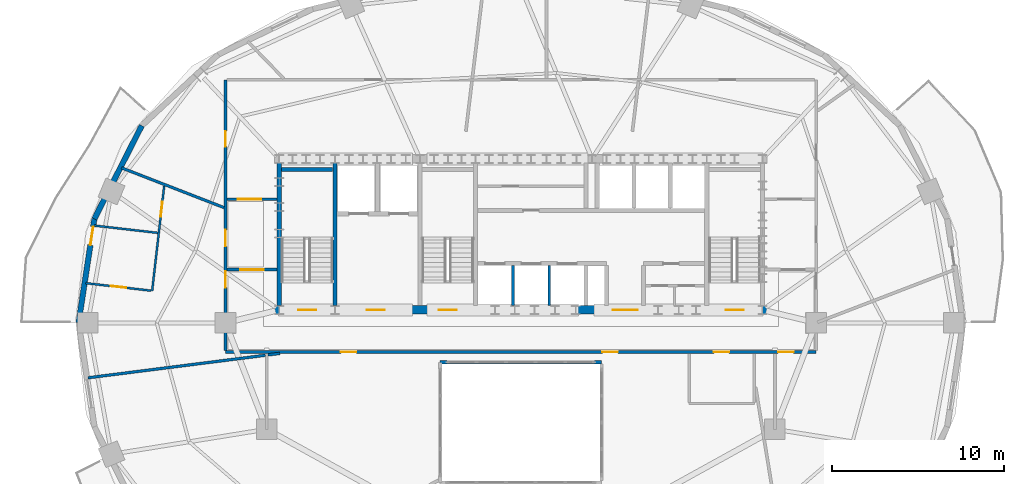
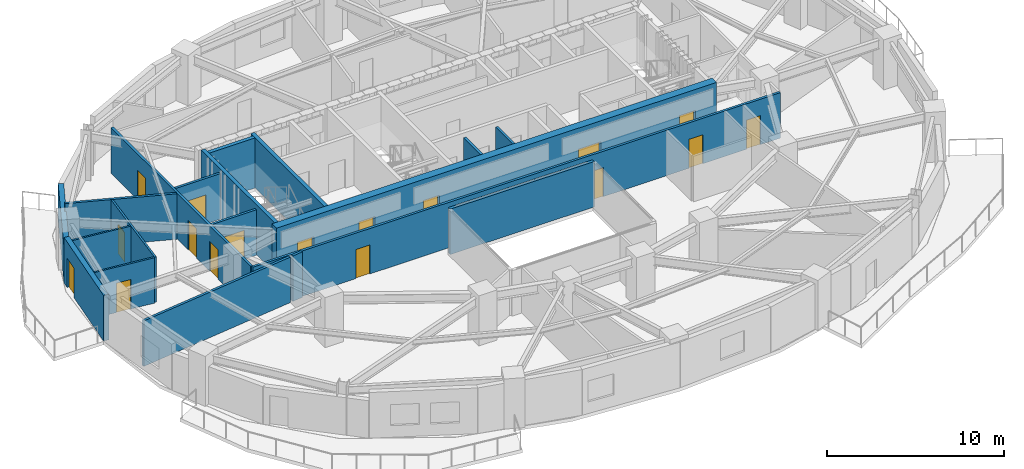
# One storey, part 6 of 12: 19 walls, 17 doors, 17 openings.
"""IFC4 building model written with IfcOpenShell, lengths in metres."""

from ifc_helpers import new_model, si_unit, direction, frame, frame_2d, origin, place, context, subcontext, project, spatial, rectangle, extrude, material, layer, layer_set, type_object, element, fill, save


model = new_model("IFC4")

# Units and contexts
model_context = context("Model", 3, precision=1e-05, world=origin(), true_north=direction((0.0, 1.0)))
body_context = subcontext(model_context, "Body", "Model", "MODEL_VIEW")
ifc_project = project(units=[si_unit("LENGTHUNIT", "METRE"), si_unit("AREAUNIT", "SQUARE_METRE"), si_unit("VOLUMEUNIT", "CUBIC_METRE"), si_unit("PLANEANGLEUNIT", "RADIAN"), si_unit("MASSUNIT", "GRAM", prefix="KILO")], contexts=[model_context])

# Site, building, storey
site_placement = place(None, origin())
site = spatial("IfcSite", under=ifc_project, at=site_placement, CompositionType="ELEMENT")
building_placement = place(site_placement, origin())
building = spatial("IfcBuilding", under=site, at=building_placement, Name="Haldorwick Loom Tower", CompositionType="ELEMENT")
storey_placement = place(building_placement, frame((0.0, 0.0, 146.0)))
storey = spatial("IfcBuildingStorey", under=building, at=storey_placement, Name="L39", CompositionType="ELEMENT", Elevation=146.0)

# Wall
ifc_material_1 = material(Name="Pressed Clay Face Brick and Insulated Masonry Backup Assembly", Category="masonry")
ifc_layer_1 = layer(ifc_material_1, 0.320068359375, Name="Pressed Clay Face Brick and Insulated Masonry Backup Assembly", Category="masonry")
ifc_layer_set_1 = layer_set([ifc_layer_1], Name="Pressed Clay Face Brick and Insulated Masonry Backup Assembly")
wall_type_1 = type_object("IfcWallType", Name="ARC-WL-EXT320", PredefinedType="STANDARD", material=ifc_layer_set_1)
wall_1_placement = place(storey_placement, frame((13.92333984375, 37.481201171875, 0.0), z_axis=(0.0, 0.0, 1.0), x_axis=(-0.453172129629, -0.89142303141, 0.0)))
element("IfcWall", 1, at=wall_1_placement, inside=storey, type_object=wall_type_1, Name="L39 Brick Pier and Spandrel Wall 11", PredefinedType="STANDARD", context=body_context, shape_type="SweptSolid", body=[
    extrude(rectangle(XDim=6.086669921875, YDim=0.320068359375, at=frame_2d((3.04345703125, 0.0))), origin(), (0.0, 0.0, 1.0), 2.5810546875),
])

# Wall, opening, door
wall_2_placement = place(storey_placement, frame((11.1650390625, 32.055419921875, 0.0), z_axis=(0.0, 0.0, 1.0), x_axis=(-0.150544467684, -0.988603238539, 0.0)))
wall_2 = element("IfcWall", 2, at=wall_2_placement, inside=storey, type_object=wall_type_1, Name="L39 Brick Pier and Spandrel Wall 12", PredefinedType="STANDARD", context=body_context, shape_type="SweptSolid", body=[
    extrude(rectangle(XDim=6.125244140625, YDim=0.320068359375, at=frame_2d((3.0625, 0.0))), origin(), (0.0, 0.0, 1.0), 3.14990234375),
])
opening_1_placement = place(wall_2_placement, frame((0.459716796875, 0.0, 0.0)))
opening_1 = element("IfcOpeningElement", 3, at=opening_1_placement, cuts=wall_2, Name="Opening D-BL11", PredefinedType="OPENING", context=body_context, shape_type="SweptSolid", body=[
    extrude(rectangle(XDim=1.080078125, YDim=2.0400390625, at=frame_2d((0.5400390625, 1.02001953125))), frame((0.0, 0.169921875, 0.0), z_axis=(0.0, -1.0, 0.0), x_axis=(1.0, 0.0, 0.0)), (0.0, 0.0, 1.0), 0.340087890625),
])
ifc_material_2 = material(Name="Thermally Broken Anodized Aluminium Curtain Wall Framing", Category="aluminium")
door_type_1 = type_object("IfcDoorType", Name="ARC-DR-BAL110", OperationType="NOTDEFINED", PredefinedType="DOOR", material=ifc_material_2)
door_1_placement = place(opening_1_placement, origin())
door_1 = element("IfcDoor", 4, at=door_1_placement, inside=storey, type_object=door_type_1, Name="L39 Outdoor Terrace Door SLB-L39-BAL_WNW", OperationType="SINGLE_SWING_RIGHT", OverallHeight=2.0400390625, OverallWidth=1.080078125, PredefinedType="DOOR", context=body_context, shape_type="SweptSolid", body=[
    extrude(rectangle(XDim=1.080078125, YDim=2.0400390625, at=frame_2d((0.5400390625, 1.02001953125))), frame((0.0, 0.02490234375, 0.0), z_axis=(0.0, -1.0, 0.0), x_axis=(1.0, 0.0, 0.0)), (0.0, 0.0, 1.0), 0.050048828125),
])
fill(opening_1, door_1)

# Wall, openings, doors
ifc_material_3 = material(Name="Fire-Rated Type X Gypsum Stud Assembly EI 60")
ifc_layer_2 = layer(ifc_material_3, 0.159912109375, Name="Fire-Rated Type X Gypsum Stud Assembly EI 60")
ifc_layer_set_2 = layer_set([ifc_layer_2], Name="Fire-Rated Type X Gypsum Stud Assembly EI 60")
wall_type_2 = type_object("IfcWallType", Name="ARC-WL-FIRE160", PredefinedType="PARTITIONING", material=ifc_layer_set_2)
wall_3_placement = place(storey_placement, frame((18.800048828125, 24.300048828125, 0.0), z_axis=(0.0, 0.0, 1.0), x_axis=(1.0, 0.0, 0.0)))
wall_3 = element("IfcWall", 5, at=wall_3_placement, inside=storey, type_object=wall_type_2, Name="L39 Residential Fire Partition L39-CR-SP", PredefinedType="PARTITIONING", context=body_context, shape_type="SweptSolid", body=[
    extrude(rectangle(XDim=34.39990234375, YDim=0.159912109375, at=frame_2d((17.199951171875, 0.0))), origin(), (0.0, 0.0, 1.0), 3.135009765625),
])
opening_2_placement = place(wall_3_placement, frame((21.951416015625, 0.0, 0.0)))
opening_2 = element("IfcOpeningElement", 6, at=opening_2_placement, cuts=wall_3, Name="Opening D-FD60A", PredefinedType="OPENING", context=body_context, shape_type="SweptSolid", body=[
    extrude(rectangle(XDim=0.89990234375, YDim=2.0, at=frame_2d((0.449951171875, 1.0))), frame((0.0, 0.08984375, 0.0), z_axis=(0.0, -1.0, 0.0), x_axis=(1.0, 0.0, 0.0)), (0.0, 0.0, 1.0), 0.179931640625),
])
opening_3_placement = place(wall_3_placement, frame((6.716796875, 0.0, 0.0)))
opening_3 = element("IfcOpeningElement", 7, at=opening_3_placement, cuts=wall_3, Name="Opening D-FD60A", PredefinedType="OPENING", context=body_context, shape_type="SweptSolid", body=[
    extrude(rectangle(XDim=0.89990234375, YDim=2.0, at=frame_2d((0.449951171875, 1.0))), frame((0.0, 0.08984375, 0.0), z_axis=(0.0, -1.0, 0.0), x_axis=(1.0, 0.0, 0.0)), (0.0, 0.0, 1.0), 0.179931640625),
])
opening_4_placement = place(wall_3_placement, frame((28.437255859375, 0.0, 0.0)))
opening_4 = element("IfcOpeningElement", 8, at=opening_4_placement, cuts=wall_3, Name="Opening D-FD60A", PredefinedType="OPENING", context=body_context, shape_type="SweptSolid", body=[
    extrude(rectangle(XDim=0.89990234375, YDim=2.0, at=frame_2d((0.449951171875, 1.0))), frame((0.0, 0.08984375, 0.0), z_axis=(0.0, -1.0, 0.0), x_axis=(1.0, 0.0, 0.0)), (0.0, 0.0, 1.0), 0.179931640625),
])
opening_5_placement = place(wall_3_placement, frame((32.185791015625, 0.0, 0.0)))
opening_5 = element("IfcOpeningElement", 9, at=opening_5_placement, cuts=wall_3, Name="Opening D-FD60A", PredefinedType="OPENING", context=body_context, shape_type="SweptSolid", body=[
    extrude(rectangle(XDim=0.89990234375, YDim=2.0, at=frame_2d((0.449951171875, 1.0))), frame((0.0, 0.08984375, 0.0), z_axis=(0.0, -1.0, 0.0), x_axis=(1.0, 0.0, 0.0)), (0.0, 0.0, 1.0), 0.179931640625),
])
ifc_material_4 = material(Name="Hollow Steel Fire Door Assembly", Category="steel")
door_type_2 = type_object("IfcDoorType", Name="ARC-DR-FD60-90", OperationType="NOTDEFINED", PredefinedType="DOOR", material=ifc_material_4)
door_2_placement = place(opening_2_placement, origin())
door_2 = element("IfcDoor", 10, at=door_2_placement, inside=storey, type_object=door_type_2, Name="L39 L39 Central Residential Corridor to Community Teaching Classroom 5 D", OperationType="SINGLE_SWING_RIGHT", OverallHeight=2.0, OverallWidth=0.89990234375, PredefinedType="DOOR", context=body_context, shape_type="SweptSolid", body=[
    extrude(rectangle(XDim=0.89990234375, YDim=2.0, at=frame_2d((0.449951171875, 1.0))), frame((0.0, 0.02490234375, 0.0), z_axis=(0.0, -1.0, 0.0), x_axis=(1.0, 0.0, 0.0)), (0.0, 0.0, 1.0), 0.050048828125),
])
fill(opening_2, door_2)
door_3_placement = place(opening_3_placement, origin())
door_3 = element("IfcDoor", 11, at=door_3_placement, inside=storey, type_object=door_type_2, Name="L39 L39 Central Residential Corridor to Community Teaching Classroom 10 ", OperationType="SINGLE_SWING_LEFT", OverallHeight=2.0, OverallWidth=0.89990234375, PredefinedType="DOOR", context=body_context, shape_type="SweptSolid", body=[
    extrude(rectangle(XDim=0.89990234375, YDim=2.0, at=frame_2d((0.449951171875, 1.0))), frame((0.0, 0.02490234375, 0.0), z_axis=(0.0, -1.0, 0.0), x_axis=(1.0, 0.0, 0.0)), (0.0, 0.0, 1.0), 0.050048828125),
])
fill(opening_3, door_3)
door_4_placement = place(opening_4_placement, origin())
door_4 = element("IfcDoor", 12, at=door_4_placement, inside=storey, type_object=door_type_2, Name="L39 L39 Central Residential Corridor to Common Accessible WC Door", OperationType="SINGLE_SWING_RIGHT", OverallHeight=2.0, OverallWidth=0.89990234375, PredefinedType="DOOR", context=body_context, shape_type="SweptSolid", body=[
    extrude(rectangle(XDim=0.89990234375, YDim=2.0, at=frame_2d((0.449951171875, 1.0))), frame((0.0, 0.02490234375, 0.0), z_axis=(0.0, -1.0, 0.0), x_axis=(1.0, 0.0, 0.0)), (0.0, 0.0, 1.0), 0.050048828125),
])
fill(opening_4, door_4)
door_5_placement = place(opening_5_placement, origin())
door_5 = element("IfcDoor", 13, at=door_5_placement, inside=storey, type_object=door_type_2, Name="L39 L39 Central Residential Corridor to Community Teaching Classroom 1 D", OperationType="SINGLE_SWING_LEFT", OverallHeight=2.0, OverallWidth=0.89990234375, PredefinedType="DOOR", context=body_context, shape_type="SweptSolid", body=[
    extrude(rectangle(XDim=0.89990234375, YDim=2.0, at=frame_2d((0.449951171875, 1.0))), frame((0.0, 0.02490234375, 0.0), z_axis=(0.0, -1.0, 0.0), x_axis=(1.0, 0.0, 0.0)), (0.0, 0.0, 1.0), 0.050048828125),
])
fill(opening_5, door_5)

wall_4_placement = place(storey_placement, frame((18.800048828125, 24.383056640625, 0.0), z_axis=(0.0, 0.0, 1.0), x_axis=(0.0, 1.0, 0.0)))
wall_4 = element("IfcWall", 14, at=wall_4_placement, inside=storey, type_object=wall_type_2, Name="L39 Residential Fire Partition L39-CR-W0", PredefinedType="PARTITIONING", context=body_context, shape_type="SweptSolid", body=[
    extrude(rectangle(XDim=15.766845703125, YDim=0.159912109375, at=frame_2d((7.88330078125, 0.0))), origin(), (0.0, 0.0, 1.0), 3.135009765625),
])
opening_6_placement = place(wall_4_placement, frame((11.875, 0.0, 0.0)))
opening_6 = element("IfcOpeningElement", 15, at=opening_6_placement, cuts=wall_4, Name="Opening D-FD60A", PredefinedType="OPENING", context=body_context, shape_type="SweptSolid", body=[
    extrude(rectangle(XDim=0.89990234375, YDim=2.0, at=frame_2d((0.449951171875, 1.0))), frame((0.0, 0.08984375, 0.0), z_axis=(0.0, -1.0, 0.0), x_axis=(1.0, 0.0, 0.0)), (0.0, 0.0, 1.0), 0.179931640625),
])
opening_7_placement = place(wall_4_placement, frame((3.67138671875, 0.0, 0.0)))
opening_7 = element("IfcOpeningElement", 16, at=opening_7_placement, cuts=wall_4, Name="Opening D-FL95", PredefinedType="OPENING", context=body_context, shape_type="SweptSolid", body=[
    extrude(rectangle(XDim=0.949951171875, YDim=2.0400390625, at=frame_2d((0.47509765625, 1.02001953125))), frame((0.0, 0.08984375, 0.0), z_axis=(0.0, -1.0, 0.0), x_axis=(1.0, 0.0, 0.0)), (0.0, 0.0, 1.0), 0.179931640625),
])
opening_8_placement = place(wall_4_placement, frame((6.076171875, 0.0, 0.0)))
opening_8 = element("IfcOpeningElement", 17, at=opening_8_placement, cuts=wall_4, Name="Opening D-FL95", PredefinedType="OPENING", context=body_context, shape_type="SweptSolid", body=[
    extrude(rectangle(XDim=0.949951171875, YDim=2.0400390625, at=frame_2d((0.47509765625, 1.02001953125))), frame((0.0, 0.08984375, 0.0), z_axis=(0.0, -1.0, 0.0), x_axis=(1.0, 0.0, 0.0)), (0.0, 0.0, 1.0), 0.179931640625),
])
door_6_placement = place(opening_6_placement, frame((0.89990234375, 0.0, 0.0), z_axis=(0.0, 0.0, 1.0), x_axis=(-1.0, 0.0, 0.0)))
door_6 = element("IfcDoor", 18, at=door_6_placement, inside=storey, type_object=door_type_2, Name="L39 Shared Tea Pantry 8 to L39 North Residential Corridor Door", OperationType="SINGLE_SWING_RIGHT", OverallHeight=2.0, OverallWidth=0.89990234375, PredefinedType="DOOR", context=body_context, shape_type="SweptSolid", body=[
    extrude(rectangle(XDim=0.89990234375, YDim=2.0, at=frame_2d((0.449951171875, 1.0))), frame((0.0, 0.02490234375, 0.0), z_axis=(0.0, -1.0, 0.0), x_axis=(1.0, 0.0, 0.0)), (0.0, 0.0, 1.0), 0.050048828125),
])
fill(opening_6, door_6)
ifc_material_5 = material(Name="Solid Core Birch Architectural Door")
door_type_3 = type_object("IfcDoorType", Name="ARC-DR-FLAT95", OperationType="NOTDEFINED", PredefinedType="DOOR", material=ifc_material_5)
door_7_placement = place(opening_7_placement, frame((0.949951171875, 0.0, 0.0), z_axis=(0.0, 0.0, 1.0), x_axis=(-1.0, 0.0, 0.0)))
door_7 = element("IfcDoor", 19, at=door_7_placement, inside=storey, type_object=door_type_3, Name="L39 Unit 39B Kitchen and Living Room to L39 Central Residential Corridor", OperationType="SINGLE_SWING_LEFT", OverallHeight=2.0400390625, OverallWidth=0.949951171875, PredefinedType="DOOR", context=body_context, shape_type="SweptSolid", body=[
    extrude(rectangle(XDim=0.949951171875, YDim=2.0400390625, at=frame_2d((0.47509765625, 1.02001953125))), frame((0.0, 0.02490234375, 0.0), z_axis=(0.0, -1.0, 0.0), x_axis=(1.0, 0.0, 0.0)), (0.0, 0.0, 1.0), 0.050048828125),
])
fill(opening_7, door_7)
door_8_placement = place(opening_8_placement, frame((0.949951171875, 0.0, 0.0), z_axis=(0.0, 0.0, 1.0), x_axis=(-1.0, 0.0, 0.0)))
door_8 = element("IfcDoor", 20, at=door_8_placement, inside=storey, type_object=door_type_3, Name="L39 Unit 39B Kitchen and Living Room to L39 West Residential Corridor Do", OperationType="SINGLE_SWING_RIGHT", OverallHeight=2.0400390625, OverallWidth=0.949951171875, PredefinedType="DOOR", context=body_context, shape_type="SweptSolid", body=[
    extrude(rectangle(XDim=0.949951171875, YDim=2.0400390625, at=frame_2d((0.47509765625, 1.02001953125))), frame((0.0, 0.02490234375, 0.0), z_axis=(0.0, -1.0, 0.0), x_axis=(1.0, 0.0, 0.0)), (0.0, 0.0, 1.0), 0.050048828125),
])
fill(opening_8, door_8)

# Wall, opening, door
wall_5_placement = place(storey_placement, frame((18.883056640625, 29.10009765625, 0.0), z_axis=(0.0, 0.0, 1.0), x_axis=(1.0, 0.0, 0.0)))
wall_5 = element("IfcWall", 21, at=wall_5_placement, inside=storey, type_object=wall_type_2, Name="L39 Residential Fire Partition L39-CR-WSJ", PredefinedType="PARTITIONING", context=body_context, shape_type="SweptSolid", body=[
    extrude(rectangle(XDim=2.923828125, YDim=0.159912109375, at=frame_2d((1.4619140625, 0.0))), origin(), (0.0, 0.0, 1.0), 3.135009765625),
])
opening_9_placement = place(wall_5_placement, frame((0.787109375, 0.0, 0.0)))
opening_9 = element("IfcOpeningElement", 22, at=opening_9_placement, cuts=wall_5, Name="Opening D-CR15", PredefinedType="OPENING", context=body_context, shape_type="SweptSolid", body=[
    extrude(rectangle(XDim=1.35009765625, YDim=2.0, at=frame_2d((0.675048828125, 1.0))), frame((0.0, 0.08984375, 0.0), z_axis=(0.0, -1.0, 0.0), x_axis=(1.0, 0.0, 0.0)), (0.0, 0.0, 1.0), 0.179931640625),
])
ifc_material_6 = material(Name="Thermally Broken Anodized Aluminium and Tempered Glass", Category="aluminium")
door_type_4 = type_object("IfcDoorType", Name="ARC-DR-COR150", OperationType="NOTDEFINED", PredefinedType="DOOR", material=ifc_material_6)
door_9_placement = place(opening_9_placement, origin())
door_9 = element("IfcDoor", 23, at=door_9_placement, inside=storey, type_object=door_type_4, Name="L39 L39 West Residential Corridor to L39 Central Residential Corridor Do", OperationType="DOUBLE_DOOR_SINGLE_SWING", OverallHeight=2.0, OverallWidth=1.35009765625, PredefinedType="DOOR", context=body_context, shape_type="SweptSolid", body=[
    extrude(rectangle(XDim=1.35009765625, YDim=2.0, at=frame_2d((0.675048828125, 1.0))), frame((0.0, 0.02490234375, 0.0), z_axis=(0.0, -1.0, 0.0), x_axis=(1.0, 0.0, 0.0)), (0.0, 0.0, 1.0), 0.050048828125),
])
fill(opening_9, door_9)

wall_6_placement = place(storey_placement, frame((18.883056640625, 33.199951171875, 0.0), z_axis=(0.0, 0.0, 1.0), x_axis=(1.0, 0.0, 0.0)))
wall_6 = element("IfcWall", 24, at=wall_6_placement, inside=storey, type_object=wall_type_2, Name="L39 Residential Fire Partition L39-CR-WNJ", PredefinedType="PARTITIONING", context=body_context, shape_type="SweptSolid", body=[
    extrude(rectangle(XDim=2.923828125, YDim=0.159912109375, at=frame_2d((1.4619140625, 0.0))), origin(), (0.0, 0.0, 1.0), 3.135009765625),
])
opening_10_placement = place(wall_6_placement, frame((0.637939453125, 0.0, 0.0)))
opening_10 = element("IfcOpeningElement", 25, at=opening_10_placement, cuts=wall_6, Name="Opening D-CR15", PredefinedType="OPENING", context=body_context, shape_type="SweptSolid", body=[
    extrude(rectangle(XDim=1.35009765625, YDim=2.0, at=frame_2d((0.675048828125, 1.0))), frame((0.0, 0.08984375, 0.0), z_axis=(0.0, -1.0, 0.0), x_axis=(1.0, 0.0, 0.0)), (0.0, 0.0, 1.0), 0.179931640625),
])
door_10_placement = place(opening_10_placement, origin())
door_10 = element("IfcDoor", 26, at=door_10_placement, inside=storey, type_object=door_type_4, Name="L39 L39 North Residential Corridor to L39 West Residential Corridor Door", OperationType="DOUBLE_DOOR_SINGLE_SWING", OverallHeight=2.0, OverallWidth=1.35009765625, PredefinedType="DOOR", context=body_context, shape_type="SweptSolid", body=[
    extrude(rectangle(XDim=1.35009765625, YDim=2.0, at=frame_2d((0.675048828125, 1.0))), frame((0.0, 0.02490234375, 0.0), z_axis=(0.0, -1.0, 0.0), x_axis=(1.0, 0.0, 0.0)), (0.0, 0.0, 1.0), 0.050048828125),
])
fill(opening_10, door_10)

# Walls
wall_7_placement = place(storey_placement, frame((18.717041015625, 32.70849609375, 0.0), z_axis=(0.0, 0.0, 1.0), x_axis=(-0.932240604367, 0.361838991224, 0.0)))
element("IfcWall", 27, at=wall_7_placement, inside=storey, type_object=wall_type_2, Name="L39 Suite Split Wall", PredefinedType="PARTITIONING", context=body_context, shape_type="SweptSolid", body=[
    extrude(rectangle(XDim=6.403076171875, YDim=0.159912109375, at=frame_2d((3.20166015625, 0.0))), origin(), (0.0, 0.0, 1.0), 3.135009765625),
])
wall_8_placement = place(storey_placement, frame((21.964599609375, 24.217041015625, 0.0), z_axis=(0.0, 0.0, 1.0), x_axis=(-0.992013277059, -0.126133493322, 0.0)))
element("IfcWall", 28, at=wall_8_placement, inside=storey, type_object=wall_type_2, Name="L39 Suite Split Wall", PredefinedType="PARTITIONING", context=body_context, shape_type="SweptSolid", body=[
    extrude(rectangle(XDim=0.68701171875, YDim=0.159912109375, at=frame_2d((0.343505859375, 0.0))), origin(), (0.0, 0.0, 1.0), 3.135009765625),
])
wall_9_placement = place(storey_placement, frame((21.116943359375, 24.109375, 0.0), z_axis=(0.0, 0.0, 1.0), x_axis=(-0.992027862806, -0.126018726451, 0.0)))
element("IfcWall", 29, at=wall_9_placement, inside=storey, type_object=wall_type_2, Name="L39 Suite Split Wall", PredefinedType="PARTITIONING", context=body_context, shape_type="SweptSolid", body=[
    extrude(rectangle(XDim=10.403564453125, YDim=0.159912109375, at=frame_2d((5.20166015625, 0.0))), origin(), (0.0, 0.0, 1.0), 3.135009765625),
])
ifc_material_7 = material(Name="Fire-Rated Type X Gypsum Stud Assembly EI 120")
ifc_layer_3 = layer(ifc_material_7, 0.199951171875, Name="Fire-Rated Type X Gypsum Stud Assembly EI 120")
ifc_layer_set_3 = layer_set([ifc_layer_3], Name="Fire-Rated Type X Gypsum Stud Assembly EI 120")
wall_type_3 = type_object("IfcWallType", Name="ARC-WL-FIRE200", PredefinedType="PARTITIONING", material=ifc_layer_set_3)
wall_10_placement = place(storey_placement, frame((31.300048828125, 23.699951171875, 0.0), z_axis=(0.0, 0.0, 1.0), x_axis=(1.0, 0.0, 0.0)))
element("IfcWall", 30, at=wall_10_placement, inside=storey, type_object=wall_type_3, Name="L39 Atrium Fire Enclosure Wall N", PredefinedType="PARTITIONING", context=body_context, shape_type="SweptSolid", body=[
    extrude(rectangle(XDim=9.39990234375, YDim=0.199951171875, at=frame_2d((4.699951171875, 0.0))), origin(), (0.0, 0.0, 1.0), 3.135009765625),
])

# Wall, opening, door
ifc_material_8 = material(Name="Acoustic Gypsum Stud Assembly STC 55")
ifc_layer_4 = layer(ifc_material_8, 0.1201171875, Name="Acoustic Gypsum Stud Assembly STC 55")
ifc_layer_set_4 = layer_set([ifc_layer_4], Name="Acoustic Gypsum Stud Assembly STC 55")
wall_type_4 = type_object("IfcWallType", Name="ARC-WL-PART120", PredefinedType="PARTITIONING", material=ifc_layer_set_4)
wall_11_placement = place(storey_placement, frame((15.231201171875, 33.972412109375, 0.0), z_axis=(0.0, 0.0, 1.0), x_axis=(-0.114135708856, -0.993465167967, 0.0)))
wall_11 = element("IfcWall", 31, at=wall_11_placement, inside=storey, type_object=wall_type_4, Name="L39 Unit 39B Interior Partition", PredefinedType="PARTITIONING", context=body_context, shape_type="SweptSolid", body=[
    extrude(rectangle(XDim=6.147705078125, YDim=0.1201171875, at=frame_2d((3.07373046875, 0.0))), origin(), (0.0, 0.0, 1.0), 3.135009765625),
])
opening_11_placement = place(wall_11_placement, frame((0.926025390625, 0.0, 0.0)))
opening_11 = element("IfcOpeningElement", 32, at=opening_11_placement, cuts=wall_11, Name="Opening D-BT88", PredefinedType="OPENING", context=body_context, shape_type="SweptSolid", body=[
    extrude(rectangle(XDim=0.8798828125, YDim=2.02001953125, at=frame_2d((0.43994140625, 1.010009765625))), frame((0.0, 0.070068359375, 0.0), z_axis=(0.0, -1.0, 0.0), x_axis=(1.0, 0.0, 0.0)), (0.0, 0.0, 1.0), 0.14013671875),
])
door_type_5 = type_object("IfcDoorType", Name="ARC-DR-BATH88", OperationType="NOTDEFINED", PredefinedType="DOOR", material=ifc_material_5)
door_11_placement = place(opening_11_placement, origin())
door_11 = element("IfcDoor", 33, at=door_11_placement, inside=storey, type_object=door_type_5, Name="L39 Unit 39B Kitchen and Living Room to Unit 39B Bathroom Door", OperationType="SINGLE_SWING_LEFT", OverallHeight=2.02001953125, OverallWidth=0.8798828125, PredefinedType="DOOR", context=body_context, shape_type="SweptSolid", body=[
    extrude(rectangle(XDim=0.8798828125, YDim=2.02001953125, at=frame_2d((0.43994140625, 1.010009765625))), frame((0.0, 0.02490234375, 0.0), z_axis=(0.0, -1.0, 0.0), x_axis=(1.0, 0.0, 0.0)), (0.0, 0.0, 1.0), 0.050048828125),
])
fill(opening_11, door_11)

wall_12_placement = place(storey_placement, frame((14.467041015625, 27.872314453125, 0.0), z_axis=(0.0, 0.0, 1.0), x_axis=(-0.99346740661, 0.114116221475, 0.0)))
wall_12 = element("IfcWall", 34, at=wall_12_placement, inside=storey, type_object=wall_type_4, Name="L39 Unit 39B Interior Partition", PredefinedType="PARTITIONING", context=body_context, shape_type="SweptSolid", body=[
    extrude(rectangle(XDim=3.831787109375, YDim=0.1201171875, at=frame_2d((1.916015625, 0.0))), origin(), (0.0, 0.0, 1.0), 3.135009765625),
])
opening_12_placement = place(wall_12_placement, frame((1.4658203125, 0.0, 0.0)))
opening_12 = element("IfcOpeningElement", 35, at=opening_12_placement, cuts=wall_12, Name="Opening D-IN90", PredefinedType="OPENING", context=body_context, shape_type="SweptSolid", body=[
    extrude(rectangle(XDim=0.89990234375, YDim=2.0400390625, at=frame_2d((0.449951171875, 1.02001953125))), frame((0.0, 0.070068359375, 0.0), z_axis=(0.0, -1.0, 0.0), x_axis=(1.0, 0.0, 0.0)), (0.0, 0.0, 1.0), 0.14013671875),
])
door_type_6 = type_object("IfcDoorType", Name="ARC-DR-INT90", OperationType="NOTDEFINED", PredefinedType="DOOR", material=ifc_material_5)
door_12_placement = place(opening_12_placement, origin())
door_12 = element("IfcDoor", 36, at=door_12_placement, inside=storey, type_object=door_type_6, Name="L39 Unit 39B Kitchen and Living Room to Unit 39B Bedroom 1 Door", OperationType="SINGLE_SWING_LEFT", OverallHeight=2.0400390625, OverallWidth=0.89990234375, PredefinedType="DOOR", context=body_context, shape_type="SweptSolid", body=[
    extrude(rectangle(XDim=0.89990234375, YDim=2.0400390625, at=frame_2d((0.449951171875, 1.02001953125))), frame((0.0, 0.02490234375, 0.0), z_axis=(0.0, -1.0, 0.0), x_axis=(1.0, 0.0, 0.0)), (0.0, 0.0, 1.0), 0.050048828125),
])
fill(opening_12, door_12)

# Walls
wall_13_placement = place(storey_placement, frame((14.853759765625, 31.238525390625, 0.0), z_axis=(0.0, 0.0, 1.0), x_axis=(-0.993465634237, 0.114131650257, 0.0)))
element("IfcWall", 37, at=wall_13_placement, inside=storey, type_object=wall_type_4, Name="L39 Unit 39B Interior Partition", PredefinedType="PARTITIONING", context=body_context, shape_type="SweptSolid", body=[
    extrude(rectangle(XDim=3.70703125, YDim=0.1201171875, at=frame_2d((1.853515625, 0.0))), origin(), (0.0, 0.0, 1.0), 3.135009765625),
])
ifc_layer_5 = layer(ifc_material_7, 0.1650390625, Name="Fire-Rated Type X Gypsum Stud Assembly EI 120")
ifc_layer_set_5 = layer_set([ifc_layer_5], Name="Fire-Rated Type X Gypsum Stud Assembly EI 120")
wall_type_5 = type_object("IfcWallType", Name="ARC-WL-SHAFT160", PredefinedType="MOVABLE", material=ifc_layer_set_5)
for number, where, z_axis, x_axis, name in (
    (38, (35.550048828125, 27.0029296875, 0.0), (0.0, 0.0, 1.0), (0.0, 1.0, 0.0), "L39 Mid-Rise Hoistway Divider 1"),
    (39, (37.64990234375, 27.0029296875, 0.0), (0.0, 0.0, 1.0), (0.0, 1.0, 0.0), "L39 Mid-Rise Hoistway Divider 2"),
):
    element("IfcWall", number, at=place(storey_placement, frame(where, z_axis=z_axis, x_axis=x_axis)), inside=storey, type_object=wall_type_5, Name=name, PredefinedType="MOVABLE", context=body_context, shape_type="SweptSolid", body=[
        extrude(rectangle(XDim=2.323974609375, YDim=0.159912109375, at=frame_2d((1.162109375, 0.0))), origin(), (0.0, 0.0, 1.0), 3.135009765625),
    ])

# Wall, openings, doors
ifc_material_9 = material(Name="Concrete C60 (60 MPa)", Category="concrete")
ifc_layer_6 = layer(ifc_material_9, 0.5, Name="Concrete C60 (60 MPa)", Category="concrete")
ifc_layer_set_6 = layer_set([ifc_layer_6], Name="Concrete C60 (60 MPa)")
wall_type_6 = type_object("IfcWallType", Name="STR-WL-CORE500", PredefinedType="SHEAR", material=ifc_layer_set_6)
wall_14_placement = place(storey_placement, frame((21.64990234375, 26.75, 0.0), z_axis=(0.0, 0.0, 1.0), x_axis=(1.0, 0.0, 0.0)))
wall_14 = element("IfcWall", 40, at=wall_14_placement, inside=storey, type_object=wall_type_6, Name="L39 Core Shear Wall S", PredefinedType="SHEAR", context=body_context, shape_type="SweptSolid", body=[
    extrude(rectangle(XDim=28.7001953125, YDim=0.5, at=frame_2d((14.35009765625, 0.0))), origin(), (0.0, 0.0, 1.0), 3.449951171875),
])
opening_13_placement = place(wall_14_placement, frame((1.375, 0.0, 0.0)))
opening_13 = element("IfcOpeningElement", 41, at=opening_13_placement, cuts=wall_14, Name="Opening D-FD60", PredefinedType="OPENING", context=body_context, shape_type="SweptSolid", body=[
    extrude(rectangle(XDim=1.050048828125, YDim=2.0, at=frame_2d((0.52490234375, 1.0))), frame((0.0, 0.260009765625, 0.0), z_axis=(0.0, -1.0, 0.0), x_axis=(1.0, 0.0, 0.0)), (0.0, 0.0, 1.0), 0.52001953125),
])
opening_14_placement = place(wall_14_placement, frame((5.375, 0.0, 0.0)))
opening_14 = element("IfcOpeningElement", 42, at=opening_14_placement, cuts=wall_14, Name="Opening D-FD60", PredefinedType="OPENING", context=body_context, shape_type="SweptSolid", body=[
    extrude(rectangle(XDim=1.050048828125, YDim=2.0, at=frame_2d((0.52490234375, 1.0))), frame((0.0, 0.260009765625, 0.0), z_axis=(0.0, -1.0, 0.0), x_axis=(1.0, 0.0, 0.0)), (0.0, 0.0, 1.0), 0.52001953125),
])
opening_15_placement = place(wall_14_placement, frame((9.574951171875, 0.0, 0.0)))
opening_15 = element("IfcOpeningElement", 43, at=opening_15_placement, cuts=wall_14, Name="Opening D-FD60", PredefinedType="OPENING", context=body_context, shape_type="SweptSolid", body=[
    extrude(rectangle(XDim=1.050048828125, YDim=2.0, at=frame_2d((0.52490234375, 1.0))), frame((0.0, 0.260009765625, 0.0), z_axis=(0.0, -1.0, 0.0), x_axis=(1.0, 0.0, 0.0)), (0.0, 0.0, 1.0), 0.52001953125),
])
opening_16_placement = place(wall_14_placement, frame((19.705078125, 0.0, 0.0)))
opening_16 = element("IfcOpeningElement", 44, at=opening_16_placement, cuts=wall_14, Name="Opening D-LB15", PredefinedType="OPENING", context=body_context, shape_type="SweptSolid", body=[
    extrude(rectangle(XDim=1.449951171875, YDim=2.0, at=frame_2d((0.72509765625, 1.0))), frame((0.0, 0.260009765625, 0.0), z_axis=(0.0, -1.0, 0.0), x_axis=(1.0, 0.0, 0.0)), (0.0, 0.0, 1.0), 0.52001953125),
])
opening_17_placement = place(wall_14_placement, frame((26.27490234375, 0.0, 0.0)))
opening_17 = element("IfcOpeningElement", 45, at=opening_17_placement, cuts=wall_14, Name="Opening D-FD60", PredefinedType="OPENING", context=body_context, shape_type="SweptSolid", body=[
    extrude(rectangle(XDim=1.050048828125, YDim=2.0, at=frame_2d((0.52490234375, 1.0))), frame((0.0, 0.260009765625, 0.0), z_axis=(0.0, -1.0, 0.0), x_axis=(1.0, 0.0, 0.0)), (0.0, 0.0, 1.0), 0.52001953125),
])
door_type_7 = type_object("IfcDoorType", Name="ARC-DR-FD60", OperationType="NOTDEFINED", PredefinedType="DOOR", material=ifc_material_4)
door_13_placement = place(opening_13_placement, origin())
door_13 = element("IfcDoor", 46, at=door_13_placement, inside=storey, type_object=door_type_7, Name="L39 Exit Stair ST-01 Fire Door", OperationType="SINGLE_SWING_LEFT", OverallHeight=2.0, OverallWidth=1.050048828125, PredefinedType="DOOR", context=body_context, shape_type="SweptSolid", body=[
    extrude(rectangle(XDim=1.050048828125, YDim=2.0, at=frame_2d((0.52490234375, 1.0))), frame((0.0, 0.02490234375, 0.0), z_axis=(0.0, -1.0, 0.0), x_axis=(1.0, 0.0, 0.0)), (0.0, 0.0, 1.0), 0.050048828125),
])
fill(opening_13, door_13)
door_14_placement = place(opening_14_placement, origin())
door_14 = element("IfcDoor", 47, at=door_14_placement, inside=storey, type_object=door_type_7, Name="L39 Firefighting Lift Lobby Fire Door", OperationType="SINGLE_SWING_RIGHT", OverallHeight=2.0, OverallWidth=1.050048828125, PredefinedType="DOOR", context=body_context, shape_type="SweptSolid", body=[
    extrude(rectangle(XDim=1.050048828125, YDim=2.0, at=frame_2d((0.52490234375, 1.0))), frame((0.0, 0.02490234375, 0.0), z_axis=(0.0, -1.0, 0.0), x_axis=(1.0, 0.0, 0.0)), (0.0, 0.0, 1.0), 0.050048828125),
])
fill(opening_14, door_14)
door_15_placement = place(opening_15_placement, origin())
door_15 = element("IfcDoor", 48, at=door_15_placement, inside=storey, type_object=door_type_7, Name="L39 Exit Stair ST-03 Fire Door", OperationType="SINGLE_SWING_LEFT", OverallHeight=2.0, OverallWidth=1.050048828125, PredefinedType="DOOR", context=body_context, shape_type="SweptSolid", body=[
    extrude(rectangle(XDim=1.050048828125, YDim=2.0, at=frame_2d((0.52490234375, 1.0))), frame((0.0, 0.02490234375, 0.0), z_axis=(0.0, -1.0, 0.0), x_axis=(1.0, 0.0, 0.0)), (0.0, 0.0, 1.0), 0.050048828125),
])
fill(opening_15, door_15)
door_16_placement = place(opening_17_placement, origin())
door_16 = element("IfcDoor", 49, at=door_16_placement, inside=storey, type_object=door_type_7, Name="L39 Exit Stair ST-02 Fire Door", OperationType="SINGLE_SWING_LEFT", OverallHeight=2.0, OverallWidth=1.050048828125, PredefinedType="DOOR", context=body_context, shape_type="SweptSolid", body=[
    extrude(rectangle(XDim=1.050048828125, YDim=2.0, at=frame_2d((0.52490234375, 1.0))), frame((0.0, 0.02490234375, 0.0), z_axis=(0.0, -1.0, 0.0), x_axis=(1.0, 0.0, 0.0)), (0.0, 0.0, 1.0), 0.050048828125),
])
fill(opening_17, door_16)
door_type_8 = type_object("IfcDoorType", Name="ARC-DR-LOB150", OperationType="NOTDEFINED", PredefinedType="DOOR", material=ifc_material_6)
door_17_placement = place(opening_16_placement, frame((1.449951171875, 0.0, 0.0), z_axis=(0.0, 0.0, 1.0), x_axis=(-1.0, 0.0, 0.0)))
door_17 = element("IfcDoor", 50, at=door_17_placement, inside=storey, type_object=door_type_8, Name="L39 Passenger Lift Lobby Fire Door", OperationType="DOUBLE_DOOR_SINGLE_SWING", OverallHeight=2.0, OverallWidth=1.449951171875, PredefinedType="DOOR", context=body_context, shape_type="SweptSolid", body=[
    extrude(rectangle(XDim=1.449951171875, YDim=2.0, at=frame_2d((0.72509765625, 1.0))), frame((0.0, 0.02490234375, 0.0), z_axis=(0.0, -1.0, 0.0), x_axis=(1.0, 0.0, 0.0)), (0.0, 0.0, 1.0), 0.050048828125),
])
fill(opening_16, door_17)

# Walls
ifc_material_10 = material(Name="Concrete C50 (50 MPa)", Category="concrete")
ifc_layer_7 = layer(ifc_material_10, 0.239990234375, Name="Concrete C50 (50 MPa)", Category="concrete")
ifc_layer_set_7 = layer_set([ifc_layer_7], Name="Concrete C50 (50 MPa)")
wall_type_7 = type_object("IfcWallType", Name="STR-WL-SHAFT240", PredefinedType="SHEAR", material=ifc_layer_set_7)
for number, where, z_axis, x_axis, name in (
    (51, (21.929931640625, 35.297119140625, 0.0), (0.0, 0.0, 1.0), (0.0, -1.0, 0.0), "L39 Core Shear Wall W"),
    (52, (25.169921875, 27.0029296875, 0.0), (0.0, 0.0, 1.0), (0.0, 1.0, 0.0), "L39 Core Shear Wall 1"),
):
    element("IfcWall", number, at=place(storey_placement, frame(where, z_axis=z_axis, x_axis=x_axis)), inside=storey, type_object=wall_type_7, Name=name, PredefinedType="SHEAR", context=body_context, shape_type="SweptSolid", body=[
        extrude(rectangle(XDim=8.294189453125, YDim=0.239990234375, at=frame_2d((4.14697265625, 0.0))), origin(), (0.0, 0.0, 1.0), 3.449951171875),
    ])
wall_15_placement = place(storey_placement, frame((22.052978515625, 34.919921875, 0.0), z_axis=(0.0, 0.0, 1.0), x_axis=(1.0, 0.0, 0.0)))
element("IfcWall", 53, at=wall_15_placement, inside=storey, type_object=wall_type_7, Name="L39 Core Shear Wall 1N", PredefinedType="SHEAR", context=body_context, shape_type="SweptSolid", body=[
    extrude(rectangle(XDim=2.994140625, YDim=0.239990234375, at=frame_2d((1.4970703125, 0.0))), origin(), (0.0, 0.0, 1.0), 3.449951171875),
])

save(model, "model.ifc")
